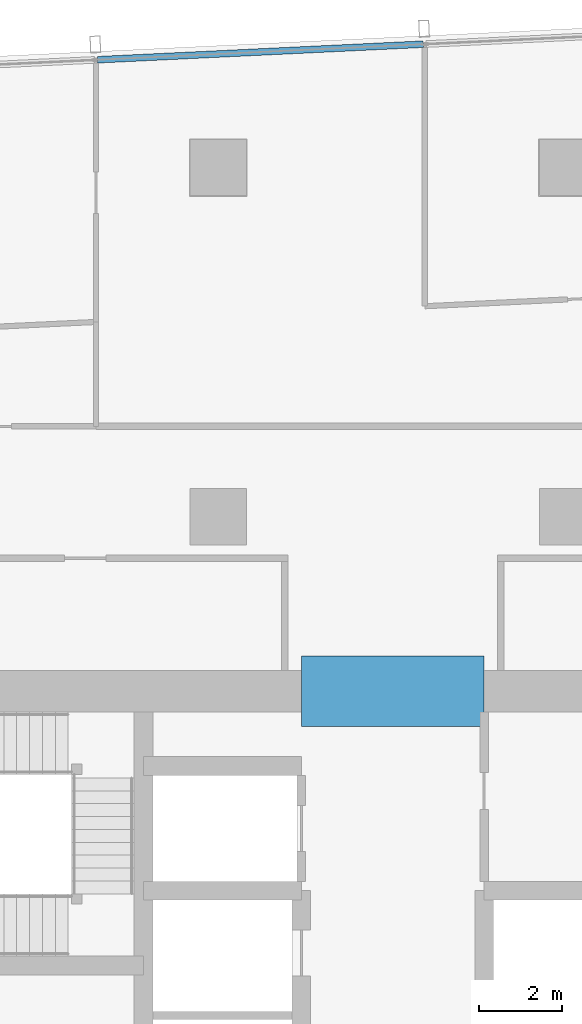
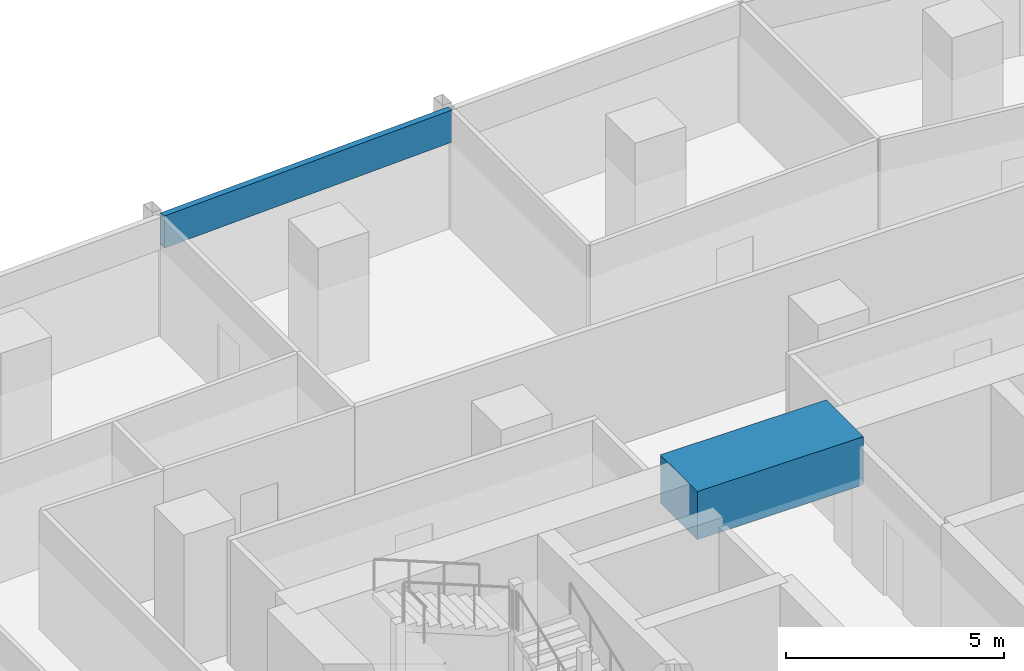
# One storey, part 20 of 39: 1 beam, 1 member, 1 element without a shape of its own.
"""IFC4 building model written with IfcOpenShell, lengths in metres."""

from ifc_helpers import new_model, si_unit, direction, frame, origin, origin_2d, place, context, subcontext, project, spatial, rectangle, hollow_rectangle, extrude, material, material_profile, profile_set, type_object, element, aggregate, save


model = new_model("IFC4")

# Units and contexts
model_context = context("Model", 3, precision=1e-05, world=origin(), true_north=direction((0.0, 1.0)))
body_context = subcontext(model_context, "Body", "Model", "MODEL_VIEW")
ifc_project = project(units=[si_unit("LENGTHUNIT", "METRE"), si_unit("AREAUNIT", "SQUARE_METRE"), si_unit("VOLUMEUNIT", "CUBIC_METRE"), si_unit("PLANEANGLEUNIT", "RADIAN"), si_unit("MASSUNIT", "GRAM", prefix="KILO")], contexts=[model_context])

# Site, building, storey
site_placement = place(None, origin())
site = spatial("IfcSite", under=ifc_project, at=site_placement, CompositionType="ELEMENT")
building_placement = place(site_placement, origin())
building = spatial("IfcBuilding", under=site, at=building_placement, Name="Rekha Terrace Tower", CompositionType="ELEMENT")
storey_placement = place(building_placement, frame((0.0, 0.0, 217.699951171875)))
storey = spatial("IfcBuildingStorey", under=building, at=storey_placement, Name="L55", CompositionType="ELEMENT", Elevation=217.699951171875)

# Curtain wall, member
ifc_material_1 = material(Name="Aluminium framing", Category="aluminium")
curtain_wall_type = type_object("IfcCurtainWallType", Name="CW3 north unitised glazing", PredefinedType="USERDEFINED", material=ifc_material_1)
curtain_wall_placement = place(storey_placement, origin())
curtain_wall = element("IfcCurtainWall", 1, at=curtain_wall_placement, inside=storey, type_object=curtain_wall_type, Name="CW3 unitised curtain wall", ObjectType="UNITISED CURTAIN WALL", PredefinedType="USERDEFINED")
ifc_material_2 = material(Name="Insulated aluminium spandrel box", Category="aluminium")
ifc_material_profile_1 = material_profile(ifc_material_2, hollow_rectangle(XDim=0.159912109375, YDim=0.89990234375, WallThickness=0.0029296875, at=origin_2d()), Name="AL SPANDREL BOX 160x900")
ifc_profile_set_1 = profile_set([ifc_material_profile_1], Name="Insulated aluminium spandrel box")
member_type = type_object("IfcMemberType", Name="CW3 spandrel transom 160 x 900", PredefinedType="USERDEFINED", material=ifc_profile_set_1)
member_placement = place(storey_placement, frame((38.53515625, 61.76953125, 3.050048828125), z_axis=(-0.998859252362, -0.047751376635, 0.0), x_axis=(0.047751376635, -0.998859252362, 0.0)))
member = element("IfcMember", 2, at=member_placement, type_object=member_type, Name="CW3 spandrel transom 2", ObjectType="TRANSOM", PredefinedType="USERDEFINED", context=body_context, shape_type="SweptSolid", body=[
    extrude(hollow_rectangle(XDim=0.159912109375, YDim=0.89990234375, WallThickness=0.0029296875, at=origin_2d()), origin(), (0.0, 0.0, 1.0), 7.84814453125),
])
aggregate(curtain_wall, [member])

# Beam
ifc_material_3 = material(Name="Concrete M60", Category="concrete")
ifc_material_profile_2 = material_profile(ifc_material_3, rectangle(XDim=1.699951171875, YDim=1.35009765625, at=origin_2d()), Name="RC 1700x1350")
ifc_profile_set_2 = profile_set([ifc_material_profile_2], Name="Concrete M60")
beam_type = type_object("IfcBeamType", Name="LB3A 1700x1350 diagonally reinforced coupling beam", PredefinedType="LINTEL", material=ifc_profile_set_2)
beam_placement = place(storey_placement, frame((35.60009765625, 46.199951171875, 3.074951171875), z_axis=(1.0, 0.0, 0.0), x_axis=(0.0, 1.0, 0.0)))
element("IfcBeam", 3, at=beam_placement, inside=storey, type_object=beam_type, Name="Coupling beam LB3A N L55", PredefinedType="LINTEL", context=body_context, shape_type="SweptSolid", body=[
    extrude(rectangle(XDim=1.699951171875, YDim=1.35009765625, at=origin_2d()), origin(), (0.0, 0.0, 1.0), 4.39990234375),
])

save(model, "model.ifc")
